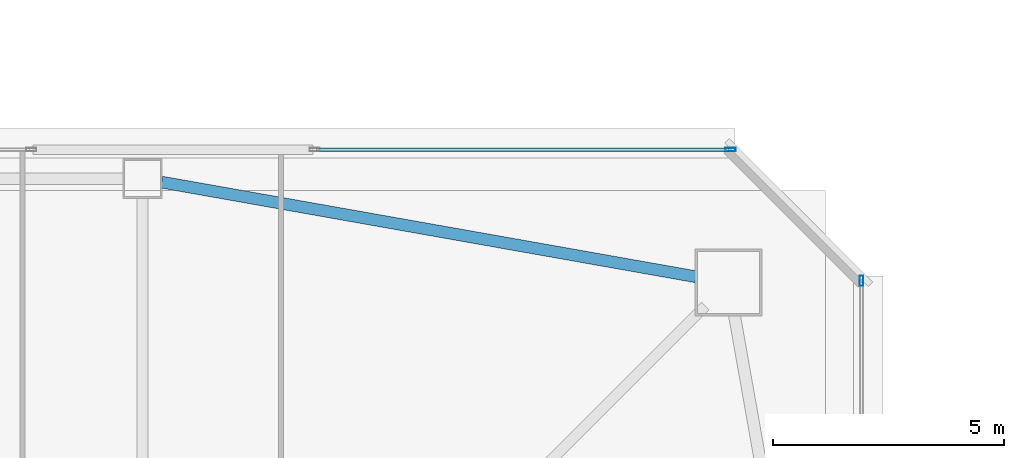
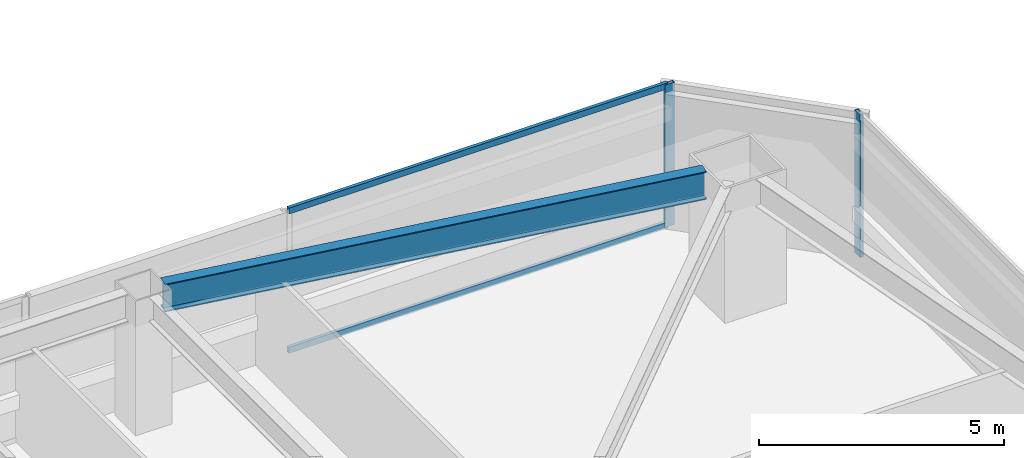
# One storey, part 15 of 44: 4 members, 1 beam, 2 elements without a shape of their own.
"""IFC4 building model written with IfcOpenShell, lengths in metres."""

from ifc_helpers import new_model, si_unit, direction, frame, origin, origin_2d, place, context, subcontext, project, spatial, hollow_rectangle, i_section, extrude, material, material_profile, profile_set, type_object, element, aggregate, save


model = new_model("IFC4")

# Units and contexts
model_context = context("Model", 3, precision=1e-05, world=origin(), true_north=direction((0.0, 1.0)))
body_context = subcontext(model_context, "Body", "Model", "MODEL_VIEW")
ifc_project = project(units=[si_unit("LENGTHUNIT", "METRE"), si_unit("AREAUNIT", "SQUARE_METRE"), si_unit("VOLUMEUNIT", "CUBIC_METRE"), si_unit("PLANEANGLEUNIT", "RADIAN"), si_unit("MASSUNIT", "GRAM", prefix="KILO")], contexts=[model_context])

# Site, building, storey
site_placement = place(None, origin())
site = spatial("IfcSite", under=ifc_project, at=site_placement, CompositionType="ELEMENT")
building_placement = place(site_placement, origin())
building = spatial("IfcBuilding", under=site, at=building_placement, Name="Tashvorn Skyway Center", CompositionType="ELEMENT")
storey_placement = place(building_placement, frame((0.0, 0.0, 95.60009765625)))
storey = spatial("IfcBuildingStorey", under=building, at=storey_placement, Name="L25", CompositionType="ELEMENT", Elevation=95.60009765625)

# Beam
ifc_material_1 = material(Name="Steel ASTM A992 Grade 50", Category="steel")
ifc_material_profile_1 = material_profile(ifc_material_1, i_section(OverallWidth=0.256103515625, OverallDepth=0.693115234375, WebThickness=0.014404296875, FlangeThickness=0.023681640625, at=origin_2d()), Name="W27X114")
ifc_profile_set_1 = profile_set([ifc_material_profile_1], Name="Steel ASTM A992 Grade 50")
beam_type = type_object("IfcBeamType", Name="BM-SPANDREL-W27X114", PredefinedType="SPANDREL", material=ifc_profile_set_1)
beam_placement = place(storey_placement, frame((59.39111328125, 50.2255859375, 3.00341796875), z_axis=(-0.98466816531, 0.174437966698, 0.0), x_axis=(-0.174437966698, -0.98466816531, 0.0)))
element("IfcBeam", 1, at=beam_placement, inside=storey, type_object=beam_type, Name="Tower 1 L25 Spandrel Beam 07", PredefinedType="SPANDREL", context=body_context, shape_type="SweptSolid", body=[
    extrude(i_section(OverallWidth=0.256103515625, OverallDepth=0.693115234375, WebThickness=0.014404296875, FlangeThickness=0.023681640625, at=origin_2d()), origin(), (0.0, 0.0, 1.0), 11.7578125),
])

# Curtain wall, member
ifc_material_2 = material(Name="Thermally broken bronze-anodized aluminium 6063-T6", Category="aluminium")
curtain_wall_type = type_object("IfcCurtainWallType", Name="CW-CW-Z2", PredefinedType="NOTDEFINED", material=ifc_material_2)
curtain_wall_1_placement = place(storey_placement, origin())
curtain_wall_1 = element("IfcCurtainWall", 2, at=curtain_wall_1_placement, inside=storey, type_object=curtain_wall_type, Name="Tower 1 L25 North Unitised Curtain Wall Glazing Group 3", PredefinedType="NOTDEFINED")
ifc_material_profile_2 = material_profile(ifc_material_2, hollow_rectangle(XDim=0.080078125, YDim=0.219970703125, WallThickness=0.0048828125, at=origin_2d()), Name="ALU-MULL-80x220")
ifc_profile_set_2 = profile_set([ifc_material_profile_2], Name="Thermally broken bronze-anodized aluminium 6063-T6")
member_type_1 = type_object("IfcMemberType", Name="CWM-CW-Z2", PredefinedType="MULLION", material=ifc_profile_set_2)
member_1_placement = place(storey_placement, frame((60.139892578125, 52.97998046875, 0.0), z_axis=(0.0, 0.0, 1.0), x_axis=(0.0, 1.0, 0.0)))
member_1 = element("IfcMember", 3, at=member_1_placement, type_object=member_type_1, Name="CW-Z2 mullion 2", PredefinedType="MULLION", context=body_context, shape_type="SweptSolid", body=[
    extrude(hollow_rectangle(XDim=0.080078125, YDim=0.219970703125, WallThickness=0.0048828125, at=origin_2d()), origin(), (0.0, 0.0, 1.0), 3.5498046875),
])

curtain_wall_2_placement = place(storey_placement, origin())
curtain_wall_2 = element("IfcCurtainWall", 4, at=curtain_wall_2_placement, inside=storey, type_object=curtain_wall_type, Name="Tower 1 L25 East Unitised Curtain Wall Glazing Group 1", PredefinedType="NOTDEFINED")
member_2_placement = place(storey_placement, frame((62.97998046875, 50.139892578125, 0.0), z_axis=(0.0, 0.0, 1.0), x_axis=(1.0, 0.0, 0.0)))
member_2 = element("IfcMember", 5, at=member_2_placement, type_object=member_type_1, Name="CW-Z2 mullion 1", PredefinedType="MULLION", context=body_context, shape_type="SweptSolid", body=[
    extrude(hollow_rectangle(XDim=0.080078125, YDim=0.219970703125, WallThickness=0.0048828125, at=origin_2d()), origin(), (0.0, 0.0, 1.0), 3.5498046875),
])
aggregate(curtain_wall_2, [member_2])

# Member
ifc_material_profile_3 = material_profile(ifc_material_2, hollow_rectangle(XDim=0.080078125, YDim=0.14990234375, WallThickness=0.00439453125, at=origin_2d()), Name="ALU-TRAN-80x150")
ifc_profile_set_3 = profile_set([ifc_material_profile_3], Name="Thermally broken bronze-anodized aluminium 6063-T6")
member_type_2 = type_object("IfcMemberType", Name="CWT-CW-Z2", PredefinedType="USERDEFINED", material=ifc_profile_set_3)
member_3_placement = place(storey_placement, frame((51.169921875, 52.97998046875, 0.039794921875), z_axis=(1.0, 0.0, 0.0), x_axis=(0.0, 1.0, 0.0)))
member_3 = element("IfcMember", 6, at=member_3_placement, type_object=member_type_2, Name="CW-Z2 transom 1.1", ObjectType="TRANSOM", PredefinedType="USERDEFINED", context=body_context, shape_type="SweptSolid", body=[
    extrude(hollow_rectangle(XDim=0.080078125, YDim=0.14990234375, WallThickness=0.00439453125, at=origin_2d()), origin(), (0.0, 0.0, 1.0), 8.93017578125),
])

member_4_placement = place(storey_placement, frame((51.169921875, 52.97998046875, 3.510009765625), z_axis=(1.0, 0.0, 0.0), x_axis=(0.0, 1.0, 0.0)))
member_4 = element("IfcMember", 7, at=member_4_placement, type_object=member_type_2, Name="CW-Z2 transom 1.2", ObjectType="TRANSOM", PredefinedType="USERDEFINED", context=body_context, shape_type="SweptSolid", body=[
    extrude(hollow_rectangle(XDim=0.080078125, YDim=0.14990234375, WallThickness=0.00439453125, at=origin_2d()), origin(), (0.0, 0.0, 1.0), 8.93017578125),
])

aggregate(curtain_wall_1, [member_1, member_3, member_4])

save(model, "model.ifc")
